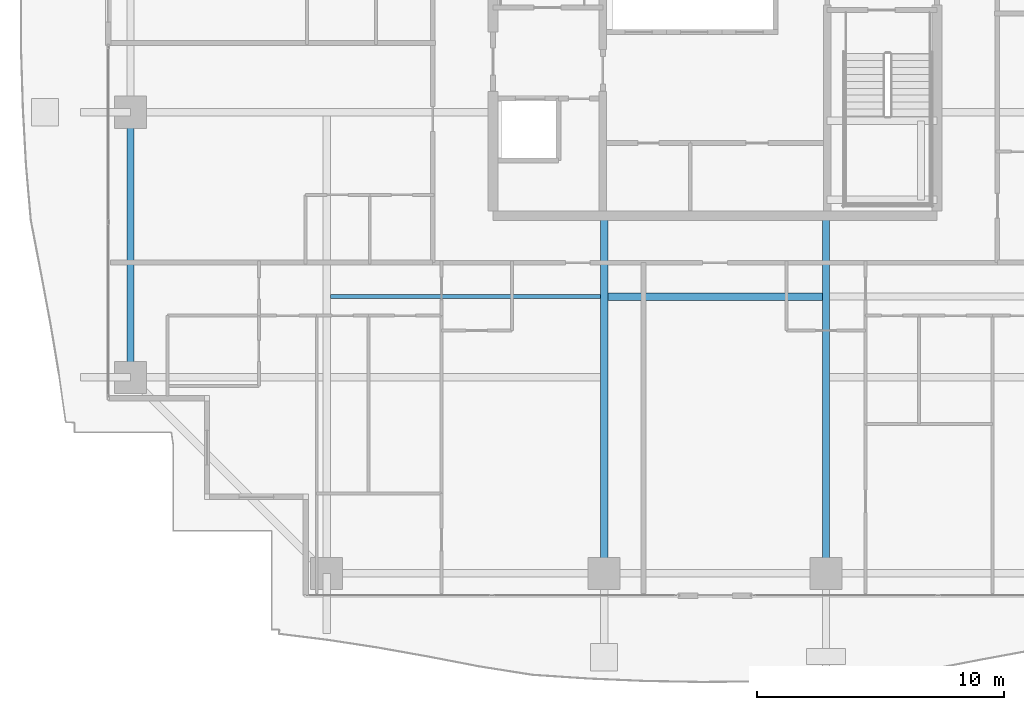
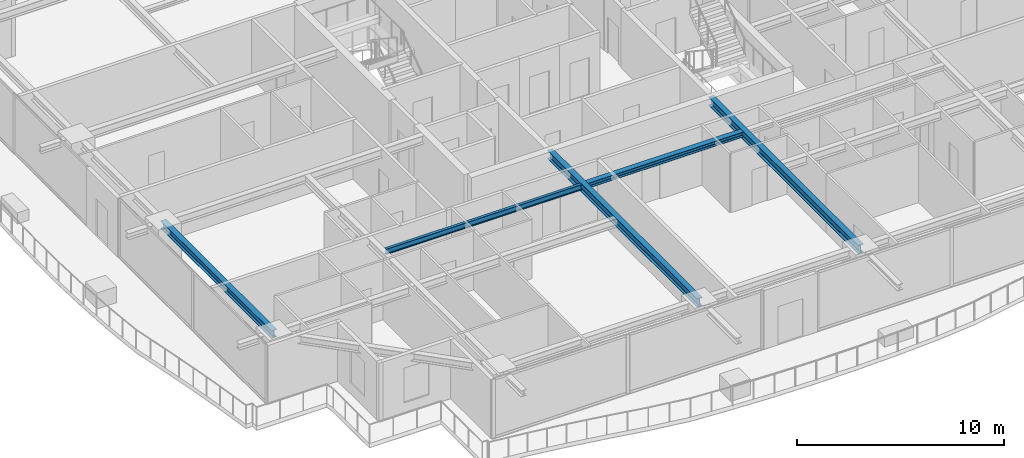
# One storey, part 6 of 34: 5 beams.
"""IFC4 building model written with IfcOpenShell, lengths in metres."""

from ifc_helpers import new_model, si_unit, direction, frame, origin, origin_2d, place, context, subcontext, project, spatial, i_section, extrude, source, transform, mapped, material, material_profile, profile_set, type_object, element, save


model = new_model("IFC4")

# Units and contexts
model_context = context("Model", 3, precision=1e-05, world=origin(), true_north=direction((0.0, 1.0)))
body_context = subcontext(model_context, "Body", "Model", "MODEL_VIEW")
ifc_project = project(units=[si_unit("LENGTHUNIT", "METRE"), si_unit("AREAUNIT", "SQUARE_METRE"), si_unit("VOLUMEUNIT", "CUBIC_METRE"), si_unit("PLANEANGLEUNIT", "RADIAN"), si_unit("MASSUNIT", "GRAM", prefix="KILO")], contexts=[model_context])

# Site, building, storey
site_placement = place(None, origin())
site = spatial("IfcSite", under=ifc_project, at=site_placement, CompositionType="ELEMENT")
building_placement = place(site_placement, origin())
building = spatial("IfcBuilding", under=site, at=building_placement, Name="Serunith Strait Residences", CompositionType="ELEMENT")
storey_placement = place(building_placement, frame((0.0, 0.0, 142.64990234375)))
storey = spatial("IfcBuildingStorey", under=building, at=storey_placement, Name="L35", CompositionType="ELEMENT", Elevation=142.64990234375)

# Beams
ifc_material = material(Name="Steel S355J2", Category="steel")
ifc_material_profile_1 = material_profile(ifc_material, i_section(OverallWidth=0.300048828125, OverallDepth=0.300048828125, WebThickness=0.010986328125, FlangeThickness=0.01904296875, FilletRadius=0.027099609375, at=origin_2d()), Name="HEB 300")
ifc_profile_set_1 = profile_set([ifc_material_profile_1], Name="Steel S355J2")
beam_type_1 = type_object("IfcBeamType", Name="BM-HEB300", PredefinedType="JOIST", material=ifc_profile_set_1)
shared_shape_1 = source(origin(), body_context, "Body", "SweptSolid", [
    extrude(i_section(OverallWidth=0.300048828125, OverallDepth=0.300048828125, WebThickness=0.010986328125, FlangeThickness=0.01904296875, FilletRadius=0.027099609375, at=origin_2d()), origin(), (0.0, 0.0, 1.0), 8.699951171875),
])
beam_1_placement = place(storey_placement, frame((28.050048828125, 13.52490234375, 3.337158203125), z_axis=(1.0, 0.0, 0.0), x_axis=(0.0, 1.0, 0.0)))
element("IfcBeam", 1, at=beam_1_placement, inside=storey, type_object=beam_type_1, Name="L35 Composite Floor Joist 02", PredefinedType="JOIST", context=body_context, shape_type="MappedRepresentation", body=[
    mapped(shared_shape_1, transform((0.0, 0.0, 0.0), scale=1.0)),
])
ifc_material_profile_2 = material_profile(ifc_material, i_section(OverallWidth=0.300048828125, OverallDepth=0.5, WebThickness=0.014404296875, FlangeThickness=0.028076171875, FilletRadius=0.027099609375, at=origin_2d()), Name="HEB 500")
ifc_profile_set_2 = profile_set([ifc_material_profile_2], Name="Steel S355J2")
beam_type_2 = type_object("IfcBeamType", Name="BM-HEB500", PredefinedType="BEAM", material=ifc_profile_set_2)
shared_shape_2 = source(origin(), body_context, "Body", "SweptSolid", [
    extrude(i_section(OverallWidth=0.300048828125, OverallDepth=0.5, WebThickness=0.014404296875, FlangeThickness=0.028076171875, FilletRadius=0.027099609375, at=origin_2d()), origin(), (0.0, 0.0, 1.0), 14.5),
])
for number, where, z_axis, x_axis, name in (
    (2, (27.89990234375, 16.800048828125, 3.237060546875), (0.0, -1.0, 0.0), (1.0, 0.0, 0.0), "L35 Primary Floor Girder TC-S2"),
    (3, (36.89990234375, 16.800048828125, 3.237060546875), (0.0, -1.0, 0.0), (1.0, 0.0, 0.0), "L35 Primary Floor Girder TC-S3"),
):
    element("IfcBeam", number, at=place(storey_placement, frame(where, z_axis=z_axis, x_axis=x_axis)), inside=storey, type_object=beam_type_2, Name=name, PredefinedType="BEAM", context=body_context, shape_type="MappedRepresentation", body=[
        mapped(shared_shape_2, transform((0.0, 0.0, 0.0), scale=1.0)),
    ])
ifc_material_profile_3 = material_profile(ifc_material, i_section(OverallWidth=0.300048828125, OverallDepth=0.449951171875, WebThickness=0.013916015625, FlangeThickness=0.02587890625, FilletRadius=0.027099609375, at=origin_2d()), Name="HEB 450")
ifc_profile_set_3 = profile_set([ifc_material_profile_3], Name="Steel S355J2")
beam_type_3 = type_object("IfcBeamType", Name="BM-HEB450", PredefinedType="BEAM", material=ifc_profile_set_3)
shared_shape_3 = source(origin(), body_context, "Body", "SweptSolid", [
    extrude(i_section(OverallWidth=0.300048828125, OverallDepth=0.449951171875, WebThickness=0.013916015625, FlangeThickness=0.02587890625, FilletRadius=0.027099609375, at=origin_2d()), origin(), (0.0, 0.0, 1.0), 10.75),
])
beam_2_placement = place(storey_placement, frame((8.699951171875, 21.0, 3.26220703125), z_axis=(0.0, -1.0, 0.0), x_axis=(1.0, 0.0, 0.0)))
element("IfcBeam", 4, at=beam_2_placement, inside=storey, type_object=beam_type_3, Name="L35 Perimeter Ring Beam 15", PredefinedType="BEAM", context=body_context, shape_type="MappedRepresentation", body=[
    mapped(shared_shape_3, transform((0.0, 0.0, 0.0), scale=1.0)),
])
ifc_material_profile_4 = material_profile(ifc_material, i_section(OverallWidth=0.159912109375, OverallDepth=0.330078125, WebThickness=0.007568359375, FlangeThickness=0.011474609375, FilletRadius=0.01806640625, at=origin_2d()), Name="IPE 330")
ifc_profile_set_4 = profile_set([ifc_material_profile_4], Name="Steel S355J2")
beam_type_4 = type_object("IfcBeamType", Name="BM-IPE330", PredefinedType="JOIST", material=ifc_profile_set_4)
shared_shape_4 = source(origin(), body_context, "Body", "SweptSolid", [
    extrude(i_section(OverallWidth=0.159912109375, OverallDepth=0.330078125, WebThickness=0.007568359375, FlangeThickness=0.011474609375, FilletRadius=0.01806640625, at=origin_2d()), origin(), (0.0, 0.0, 1.0), 10.949951171875),
])
beam_3_placement = place(storey_placement, frame((16.800048828125, 13.52490234375, 3.322021484375), z_axis=(1.0, 0.0, 0.0), x_axis=(0.0, 1.0, 0.0)))
element("IfcBeam", 5, at=beam_3_placement, inside=storey, type_object=beam_type_4, Name="L35 Composite Floor Joist 01", PredefinedType="JOIST", context=body_context, shape_type="MappedRepresentation", body=[
    mapped(shared_shape_4, transform((0.0, 0.0, 0.0), scale=1.0)),
])

save(model, "model.ifc")
